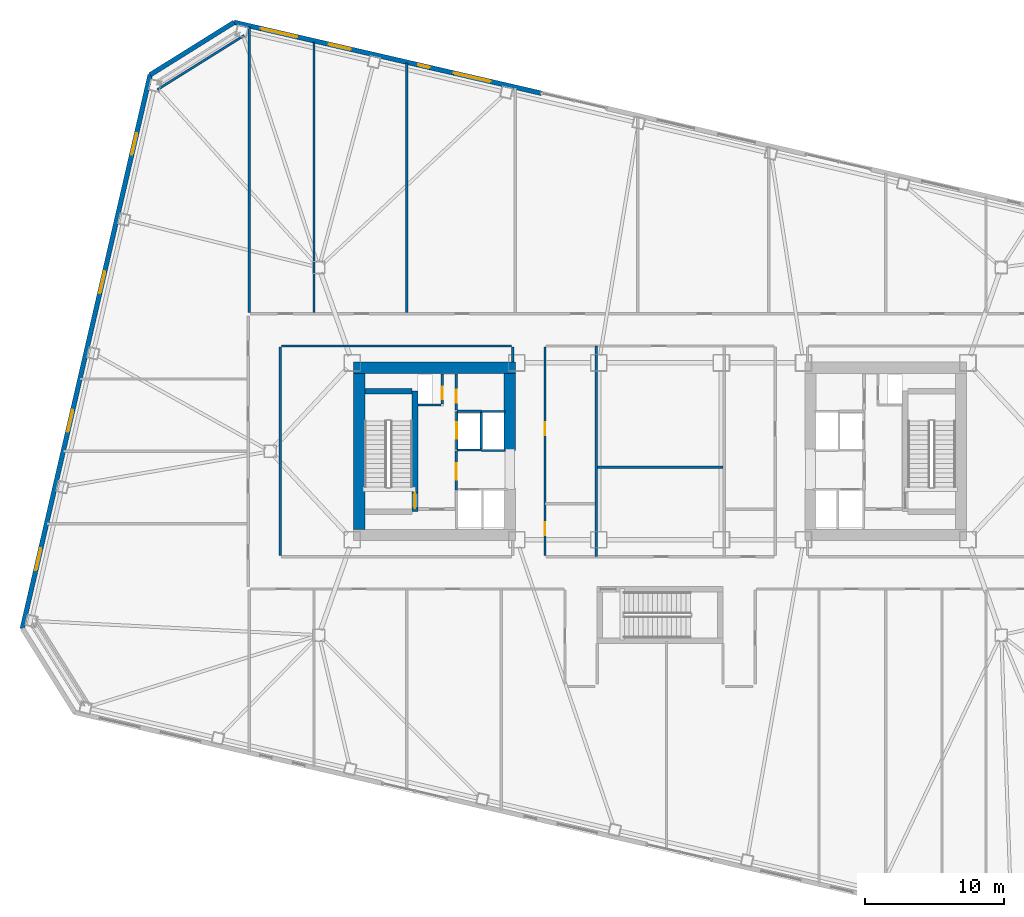
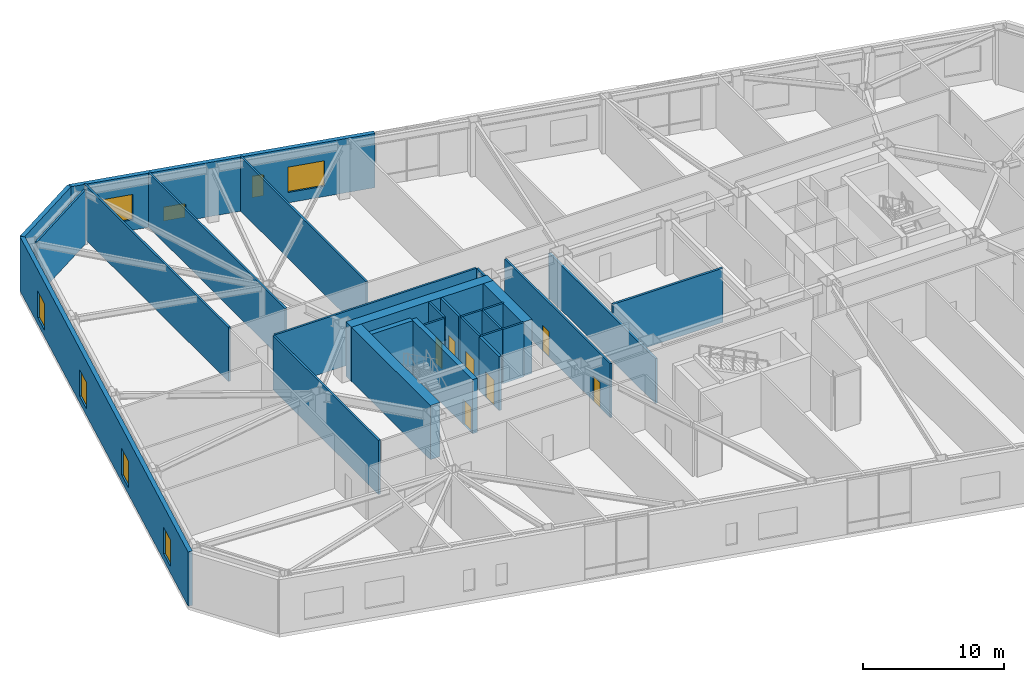
# One storey, part 11 of 20: 28 walls, 8 windows, 7 doors, 15 openings.
"""IFC4 building model written with IfcOpenShell, lengths in metres."""

from ifc_helpers import new_model, si_unit, direction, frame, frame_2d, origin, place, context, subcontext, project, spatial, rectangle, extrude, material, layer, layer_set, type_object, element, fill, save


model = new_model("IFC4")

# Units and contexts
model_context = context("Model", 3, precision=1e-05, world=origin(), true_north=direction((0.0, 1.0)))
body_context = subcontext(model_context, "Body", "Model", "MODEL_VIEW")
ifc_project = project(units=[si_unit("LENGTHUNIT", "METRE"), si_unit("AREAUNIT", "SQUARE_METRE"), si_unit("VOLUMEUNIT", "CUBIC_METRE"), si_unit("PLANEANGLEUNIT", "RADIAN"), si_unit("MASSUNIT", "GRAM", prefix="KILO")], contexts=[model_context])

# Site, building, storey
site_placement = place(None, origin())
site = spatial("IfcSite", under=ifc_project, at=site_placement, CompositionType="ELEMENT")
building_placement = place(site_placement, origin())
building = spatial("IfcBuilding", under=site, at=building_placement, Name="Tavrogorsk Clinical Tower", CompositionType="ELEMENT")
storey_placement = place(building_placement, frame((0.0, 0.0, 13.39990234375)))
storey = spatial("IfcBuildingStorey", under=building, at=storey_placement, Name="L02", CompositionType="ELEMENT", Elevation=13.39990234375)

# Wall, opening, door
ifc_material_1 = material(Name="Concrete B60", Category="concrete")
ifc_layer_1 = layer(ifc_material_1, 0.199951171875)
ifc_layer_set_1 = layer_set([ifc_layer_1], Name="Concrete B60")
wall_type_1 = type_object("IfcWallType", Name="CoreFireWall_200", PredefinedType="SOLIDWALL", material=ifc_layer_set_1)
wall_1_placement = place(storey_placement, frame((-14.639892578125, 2.9599609375, 0.0), z_axis=(0.0, 0.0, 1.0), x_axis=(0.0, 1.0, 0.0)))
wall_1 = element("IfcWall", 1, at=wall_1_placement, inside=storey, type_object=wall_type_1, Name="L02 Core West North Core Room East Wall", PredefinedType="SOLIDWALL", context=body_context, shape_type="SweptSolid", body=[
    extrude(rectangle(XDim=2.60009765625, YDim=0.199951171875, at=frame_2d((1.300048828125, 0.0))), origin(), (0.0, 0.0, 1.0), 4.7001953125),
])
opening_1_placement = place(wall_1_placement, frame((0.52001953125, 0.0, 0.0)))
opening_1 = element("IfcOpeningElement", 2, at=opening_1_placement, cuts=wall_1, Name="Opening ID-02", PredefinedType="OPENING", context=body_context, shape_type="SweptSolid", body=[
    extrude(rectangle(XDim=0.949951171875, YDim=2.199951171875, at=frame_2d((0.47509765625, 1.10009765625))), frame((0.0, 0.10986328125, 0.0), z_axis=(0.0, -1.0, 0.0), x_axis=(1.0, 0.0, 0.0)), (0.0, 0.0, 1.0), 0.219970703125),
])
ifc_material_2 = material(Name="Laminated timber leaf on aluminium frame", Category="wood")
door_type_1 = type_object("IfcDoorType", Name="InteriorDoor_ID02_950", OperationType="NOTDEFINED", PredefinedType="DOOR", material=ifc_material_2)
door_1_placement = place(opening_1_placement, origin())
door_1 = element("IfcDoor", 3, at=door_1_placement, inside=storey, type_object=door_type_1, Name="L02 Core West Core Telemetry Room Door", OperationType="SINGLE_SWING_LEFT", OverallHeight=2.199951171875, OverallWidth=0.949951171875, PredefinedType="DOOR", context=body_context, shape_type="SweptSolid", body=[
    extrude(rectangle(XDim=0.949951171875, YDim=2.199951171875, at=frame_2d((0.47509765625, 1.10009765625))), frame((0.0, 0.02490234375, 0.0), z_axis=(0.0, -1.0, 0.0), x_axis=(1.0, 0.0, 0.0)), (0.0, 0.0, 1.0), 0.050048828125),
])
fill(opening_1, door_1)

wall_2_placement = place(storey_placement, frame((-14.639892578125, -2.780029296875, 0.0), z_axis=(0.0, 0.0, 1.0), x_axis=(0.0, 1.0, 0.0)))
wall_2 = element("IfcWall", 4, at=wall_2_placement, inside=storey, type_object=wall_type_1, Name="L02 Core West Firefighting Lobby Fire Wall", PredefinedType="SOLIDWALL", context=body_context, shape_type="SweptSolid", body=[
    extrude(rectangle(XDim=2.820068359375, YDim=0.199951171875, at=frame_2d((1.41015625, 0.0))), origin(), (0.0, 0.0, 1.0), 4.7001953125),
])
opening_2_placement = place(wall_2_placement, frame((0.72998046875, 0.0, 0.0)))
opening_2 = element("IfcOpeningElement", 5, at=opening_2_placement, cuts=wall_2, Name="Opening FD-01", PredefinedType="OPENING", context=body_context, shape_type="SweptSolid", body=[
    extrude(rectangle(XDim=1.199951171875, YDim=2.199951171875, at=frame_2d((0.60009765625, 1.10009765625))), frame((0.0, 0.10986328125, 0.0), z_axis=(0.0, -1.0, 0.0), x_axis=(1.0, 0.0, 0.0)), (0.0, 0.0, 1.0), 0.219970703125),
])
ifc_material_3 = material(Name="Galvanised steel fire-rated door assembly", Category="steel")
door_type_2 = type_object("IfcDoorType", Name="FireDoor_FD01_1200", OperationType="NOTDEFINED", PredefinedType="DOOR", material=ifc_material_3)
door_2_placement = place(opening_2_placement, origin())
door_2 = element("IfcDoor", 6, at=door_2_placement, inside=storey, type_object=door_type_2, Name="L02 Core West Firefighting Lobby Entry Door", OperationType="SINGLE_SWING_RIGHT", OverallHeight=2.199951171875, OverallWidth=1.199951171875, PredefinedType="DOOR", context=body_context, shape_type="SweptSolid", body=[
    extrude(rectangle(XDim=1.199951171875, YDim=2.199951171875, at=frame_2d((0.60009765625, 1.10009765625))), frame((0.0, 0.02490234375, 0.0), z_axis=(0.0, -1.0, 0.0), x_axis=(1.0, 0.0, 0.0)), (0.0, 0.0, 1.0), 0.050048828125),
])
fill(opening_2, door_2)

# Wall
ifc_material_4 = material(Name="Lightweight concrete blockwork B15", Category="masonry")
ifc_layer_2 = layer(ifc_material_4, 0.159912109375)
ifc_layer_set_2 = layer_set([ifc_layer_2], Name="Lightweight concrete blockwork B15")
wall_type_2 = type_object("IfcWallType", Name="PartitionWall_160", PredefinedType="PARTITIONING", material=ifc_layer_set_2)
wall_3_placement = place(storey_placement, frame((-29.859619140625, 29.8681640625, 0.0), z_axis=(0.0, 0.0, 1.0), x_axis=(-0.848043064089, -0.529927317139, 0.0)))
element("IfcWall", 7, at=wall_3_placement, inside=storey, type_object=wall_type_2, Name="L02 Corner Exoskeleton Brace Furring Wall 3", PredefinedType="PARTITIONING", context=body_context, shape_type="SweptSolid", body=[
    extrude(rectangle(XDim=7.353759765625, YDim=0.159912109375, at=frame_2d((3.6767578125, 0.0))), origin(), (0.0, 0.0, 1.0), 4.7001953125),
])

# Wall, openings, doors
wall_4_placement = place(storey_placement, frame((-8.27001953125, 7.485107421875, 0.0), z_axis=(0.0, 0.0, 1.0), x_axis=(0.0, -1.0, 0.0)))
wall_4 = element("IfcWall", 8, at=wall_4_placement, inside=storey, type_object=wall_type_2, Name="L02 Corridor Partition 18", PredefinedType="PARTITIONING", context=body_context, shape_type="SweptSolid", body=[
    extrude(rectangle(XDim=14.97021484375, YDim=0.159912109375, at=frame_2d((7.485107421875, 0.0))), origin(), (0.0, 0.0, 1.0), 4.7001953125),
])
opening_3_placement = place(wall_4_placement, frame((12.560791015625, 0.0, 0.0)))
opening_3 = element("IfcOpeningElement", 9, at=opening_3_placement, cuts=wall_4, Name="Opening ID-02", PredefinedType="OPENING", context=body_context, shape_type="SweptSolid", body=[
    extrude(rectangle(XDim=0.949951171875, YDim=2.199951171875, at=frame_2d((0.47509765625, 1.10009765625))), frame((0.0, 0.08984375, 0.0), z_axis=(0.0, -1.0, 0.0), x_axis=(1.0, 0.0, 0.0)), (0.0, 0.0, 1.0), 0.179931640625),
])
opening_4_placement = place(wall_4_placement, frame((5.379150390625, 0.0, 0.0)))
opening_4 = element("IfcOpeningElement", 10, at=opening_4_placement, cuts=wall_4, Name="Opening ID-02", PredefinedType="OPENING", context=body_context, shape_type="SweptSolid", body=[
    extrude(rectangle(XDim=0.949951171875, YDim=2.199951171875, at=frame_2d((0.47509765625, 1.10009765625))), frame((0.0, 0.08984375, 0.0), z_axis=(0.0, -1.0, 0.0), x_axis=(1.0, 0.0, 0.0)), (0.0, 0.0, 1.0), 0.179931640625),
])
door_3_placement = place(opening_3_placement, origin())
door_3 = element("IfcDoor", 11, at=door_3_placement, inside=storey, type_object=door_type_1, Name="L02 Accessible Patient Lavatory Door", OperationType="SINGLE_SWING_RIGHT", OverallHeight=2.199951171875, OverallWidth=0.949951171875, PredefinedType="DOOR", context=body_context, shape_type="SweptSolid", body=[
    extrude(rectangle(XDim=0.949951171875, YDim=2.199951171875, at=frame_2d((0.47509765625, 1.10009765625))), frame((0.0, 0.02490234375, 0.0), z_axis=(0.0, -1.0, 0.0), x_axis=(1.0, 0.0, 0.0)), (0.0, 0.0, 1.0), 0.050048828125),
])
fill(opening_3, door_3)
door_4_placement = place(opening_4_placement, origin())
door_4 = element("IfcDoor", 12, at=door_4_placement, inside=storey, type_object=door_type_1, Name="L02 Ward Nourishment Pantry Door", OperationType="SINGLE_SWING_LEFT", OverallHeight=2.199951171875, OverallWidth=0.949951171875, PredefinedType="DOOR", context=body_context, shape_type="SweptSolid", body=[
    extrude(rectangle(XDim=0.949951171875, YDim=2.199951171875, at=frame_2d((0.47509765625, 1.10009765625))), frame((0.0, 0.02490234375, 0.0), z_axis=(0.0, -1.0, 0.0), x_axis=(1.0, 0.0, 0.0)), (0.0, 0.0, 1.0), 0.050048828125),
])
fill(opening_4, door_4)

# Walls
wall_5_placement = place(storey_placement, frame((-10.580078125, 6.419921875, 0.0), z_axis=(0.0, 0.0, 1.0), x_axis=(0.0, 1.0, 0.0)))
element("IfcWall", 13, at=wall_5_placement, inside=storey, type_object=wall_type_2, Name="L02 Corridor Partition 22", PredefinedType="PARTITIONING", context=body_context, shape_type="SweptSolid", body=[
    extrude(rectangle(XDim=1.065185546875, YDim=0.159912109375, at=frame_2d((0.53271484375, 0.0))), origin(), (0.0, 0.0, 1.0), 4.7001953125),
])
wall_6_placement = place(storey_placement, frame((-10.6650390625, 7.570068359375, 0.0), z_axis=(0.0, 0.0, 1.0), x_axis=(-1.0, 0.0, 0.0)))
element("IfcWall", 14, at=wall_6_placement, inside=storey, type_object=wall_type_2, Name="L02 Corridor Partition 23", PredefinedType="PARTITIONING", context=body_context, shape_type="SweptSolid", body=[
    extrude(rectangle(XDim=16.52001953125, YDim=0.159912109375, at=frame_2d((8.260009765625, 0.0))), origin(), (0.0, 0.0, 1.0), 4.7001953125),
])
wall_7_placement = place(storey_placement, frame((-27.27001953125, 7.485107421875, 0.0), z_axis=(0.0, 0.0, 1.0), x_axis=(0.0, -1.0, 0.0)))
element("IfcWall", 15, at=wall_7_placement, inside=storey, type_object=wall_type_2, Name="L02 Corridor Partition 24", PredefinedType="PARTITIONING", context=body_context, shape_type="SweptSolid", body=[
    extrude(rectangle(XDim=14.97021484375, YDim=0.159912109375, at=frame_2d((7.485107421875, 0.0))), origin(), (0.0, 0.0, 1.0), 4.7001953125),
])
wall_8_placement = place(storey_placement, frame((-29.5, 9.965087890625, 0.0), z_axis=(0.0, 0.0, 1.0), x_axis=(0.0, 1.0, 0.0)))
element("IfcWall", 16, at=wall_8_placement, inside=storey, type_object=wall_type_2, Name="L02 NW Wing Closure Partition", PredefinedType="PARTITIONING", context=body_context, shape_type="SweptSolid", body=[
    extrude(rectangle(XDim=20.5185546875, YDim=0.159912109375, at=frame_2d((10.25927734375, 0.0))), origin(), (0.0, 0.0, 1.0), 4.7001953125),
])
wall_9_placement = place(storey_placement, frame((-24.85009765625, 9.965087890625, 0.0), z_axis=(0.0, 0.0, 1.0), x_axis=(0.0, 1.0, 0.0)))
element("IfcWall", 17, at=wall_9_placement, inside=storey, type_object=wall_type_2, Name="L02 North Room Partition 1", PredefinedType="PARTITIONING", context=body_context, shape_type="SweptSolid", body=[
    extrude(rectangle(XDim=19.445068359375, YDim=0.159912109375, at=frame_2d((9.72265625, 0.0))), origin(), (0.0, 0.0, 1.0), 4.7001953125),
])
wall_10_placement = place(storey_placement, frame((-18.199951171875, 9.965087890625, 0.0), z_axis=(0.0, 0.0, 1.0), x_axis=(0.0, 1.0, 0.0)))
element("IfcWall", 18, at=wall_10_placement, inside=storey, type_object=wall_type_2, Name="L02 North Room Partition 2", PredefinedType="PARTITIONING", context=body_context, shape_type="SweptSolid", body=[
    extrude(rectangle(XDim=17.90966796875, YDim=0.159912109375, at=frame_2d((8.954833984375, 0.0))), origin(), (0.0, 0.0, 1.0), 4.7001953125),
])
ifc_material_5 = material(Name="Lightweight concrete blockwork B20", Category="masonry")
ifc_layer_3 = layer(ifc_material_5, 0.179931640625)
ifc_layer_set_3 = layer_set([ifc_layer_3], Name="Lightweight concrete blockwork B20")
wall_type_3 = type_object("IfcWallType", Name="PartitionWall_180", PredefinedType="PARTITIONING", material=ifc_layer_set_3)
wall_11_placement = place(storey_placement, frame((-4.60009765625, -7.56494140625, 0.0), z_axis=(0.0, 0.0, 1.0), x_axis=(0.0, 1.0, 0.0)))
element("IfcWall", 19, at=wall_11_placement, inside=storey, type_object=wall_type_3, Name="L02 Central Spine Partition 1", PredefinedType="PARTITIONING", context=body_context, shape_type="SweptSolid", body=[
    extrude(rectangle(XDim=15.1298828125, YDim=0.179931640625, at=frame_2d((7.56494140625, 0.0))), origin(), (0.0, 0.0, 1.0), 3.89501953125),
])
wall_12_placement = place(storey_placement, frame((-4.5048828125, -1.14990234375, 0.0), z_axis=(0.0, 0.0, 1.0), x_axis=(1.0, 0.0, 0.0)))
element("IfcWall", 20, at=wall_12_placement, inside=storey, type_object=wall_type_3, Name="L02 Central Spine Partition 3", PredefinedType="PARTITIONING", context=body_context, shape_type="SweptSolid", body=[
    extrude(rectangle(XDim=9.009765625, YDim=0.179931640625, at=frame_2d((4.5048828125, 0.0))), origin(), (0.0, 0.0, 1.0), 4.7001953125),
])

# Wall, openings, windows
ifc_material_6 = material(Name="Precast concrete B45 with limestone cladding", Category="masonry")
ifc_layer_4 = layer(ifc_material_6, 0.340087890625)
ifc_layer_set_4 = layer_set([ifc_layer_4], Name="Precast concrete B45 with limestone cladding")
wall_type_4 = type_object("IfcWallType", Name="PrecastLimestoneWall_340", PredefinedType="STANDARD", material=ifc_layer_set_4)
wall_13_placement = place(storey_placement, frame((-8.5166015625, 25.711181640625, 0.0), z_axis=(0.0, 0.0, 1.0), x_axis=(-0.974372845456, 0.224939009598, 0.0)))
wall_13 = element("IfcWall", 21, at=wall_13_placement, inside=storey, type_object=wall_type_4, Name="L02 N Limestone Facade Wall 3", PredefinedType="STANDARD", context=body_context, shape_type="SweptSolid", body=[
    extrude(rectangle(XDim=22.651611328125, YDim=0.340087890625, at=frame_2d((11.32568359375, 0.0))), origin(), (0.0, 0.0, 1.0), 4.7001953125),
])
opening_5_placement = place(wall_13_placement, frame((17.9892578125, 0.0, 0.89990234375)))
opening_5 = element("IfcOpeningElement", 22, at=opening_5_placement, cuts=wall_13, Name="Opening WN-02", PredefinedType="OPENING", context=body_context, shape_type="SweptSolid", body=[
    extrude(rectangle(XDim=2.699951171875, YDim=2.199951171875, at=frame_2d((1.35009765625, 1.10009765625))), frame((0.0, 0.179931640625, 0.0), z_axis=(0.0, -1.0, 0.0), x_axis=(1.0, 0.0, 0.0)), (0.0, 0.0, 1.0), 0.360107421875),
])
opening_6_placement = place(wall_13_placement, frame((14.054931640625, 0.0, 0.219970703125)))
opening_6 = element("IfcOpeningElement", 23, at=opening_6_placement, cuts=wall_13, Name="Opening WN-09", PredefinedType="OPENING", context=body_context, shape_type="SweptSolid", body=[
    extrude(rectangle(XDim=1.60009765625, YDim=1.199951171875, at=frame_2d((0.800048828125, 0.60009765625))), frame((0.0, 0.179931640625, 0.0), z_axis=(0.0, -1.0, 0.0), x_axis=(1.0, 0.0, 0.0)), (0.0, 0.0, 1.0), 0.360107421875),
])
opening_7_placement = place(wall_13_placement, frame((8.24072265625, 0.0, 0.89990234375)))
opening_7 = element("IfcOpeningElement", 24, at=opening_7_placement, cuts=wall_13, Name="Opening WN-06", PredefinedType="OPENING", context=body_context, shape_type="SweptSolid", body=[
    extrude(rectangle(XDim=0.85009765625, YDim=1.85009765625, at=frame_2d((0.425048828125, 0.925048828125))), frame((0.0, 0.179931640625, 0.0), z_axis=(0.0, -1.0, 0.0), x_axis=(1.0, 0.0, 0.0)), (0.0, 0.0, 1.0), 0.360107421875),
])
opening_8_placement = place(wall_13_placement, frame((3.75634765625, 0.0, 0.89990234375)))
opening_8 = element("IfcOpeningElement", 25, at=opening_8_placement, cuts=wall_13, Name="Opening WN-02", PredefinedType="OPENING", context=body_context, shape_type="SweptSolid", body=[
    extrude(rectangle(XDim=2.699951171875, YDim=2.199951171875, at=frame_2d((1.35009765625, 1.10009765625))), frame((0.0, 0.179931640625, 0.0), z_axis=(0.0, -1.0, 0.0), x_axis=(1.0, 0.0, 0.0)), (0.0, 0.0, 1.0), 0.360107421875),
])
ifc_material_7 = material(Name="Thermally broken aluminium frame and triple IGU", Category="aluminium")
window_type_1 = type_object("IfcWindowType", Name="LowHeadTransWin_1600x1200", PartitioningType="DOUBLE_PANEL_VERTICAL", PredefinedType="WINDOW", material=ifc_material_7)
window_1_placement = place(opening_6_placement, origin())
window_1 = element("IfcWindow", 26, at=window_1_placement, inside=storey, type_object=window_type_1, Name="L02 N Chicago Window 02", OverallHeight=1.199951171875, OverallWidth=1.60009765625, PartitioningType="SINGLE_PANEL", PredefinedType="WINDOW", context=body_context, shape_type="SweptSolid", body=[
    extrude(rectangle(XDim=1.60009765625, YDim=1.199951171875, at=frame_2d((0.800048828125, 0.60009765625))), frame((0.0, 0.030029296875, 0.0), z_axis=(0.0, -1.0, 0.0), x_axis=(1.0, 0.0, 0.0)), (0.0, 0.0, 1.0), 0.06005859375),
])
fill(opening_6, window_1)
ifc_material_8 = material(Name="Thermally broken aluminium frame and triple IGU", Category="aluminium")
window_type_2 = type_object("IfcWindowType", Name="MullionSubWin_850x1850", PartitioningType="SINGLE_PANEL", PredefinedType="WINDOW", material=ifc_material_8)
window_2_placement = place(opening_7_placement, origin())
window_2 = element("IfcWindow", 27, at=window_2_placement, inside=storey, type_object=window_type_2, Name="L02 N Mullion Split Window 03A", OverallHeight=1.85009765625, OverallWidth=0.85009765625, PartitioningType="SINGLE_PANEL", PredefinedType="WINDOW", context=body_context, shape_type="SweptSolid", body=[
    extrude(rectangle(XDim=0.85009765625, YDim=1.85009765625, at=frame_2d((0.425048828125, 0.925048828125))), frame((0.0, 0.030029296875, 0.0), z_axis=(0.0, -1.0, 0.0), x_axis=(1.0, 0.0, 0.0)), (0.0, 0.0, 1.0), 0.06005859375),
])
fill(opening_7, window_2)
ifc_material_9 = material(Name="Thermally broken aluminium frame and triple IGU", Category="aluminium")
window_type_3 = type_object("IfcWindowType", Name="WardChicagoWin_2700x2200", PartitioningType="TRIPLE_PANEL_HORIZONTAL", PredefinedType="WINDOW", material=ifc_material_9)
window_3_placement = place(opening_5_placement, origin())
window_3 = element("IfcWindow", 28, at=window_3_placement, inside=storey, type_object=window_type_3, Name="L02 N Chicago Window 01", OverallHeight=2.199951171875, OverallWidth=2.699951171875, PartitioningType="SINGLE_PANEL", PredefinedType="WINDOW", context=body_context, shape_type="SweptSolid", body=[
    extrude(rectangle(XDim=2.699951171875, YDim=2.199951171875, at=frame_2d((1.35009765625, 1.10009765625))), frame((0.0, 0.030029296875, 0.0), z_axis=(0.0, -1.0, 0.0), x_axis=(1.0, 0.0, 0.0)), (0.0, 0.0, 1.0), 0.06005859375),
])
fill(opening_5, window_3)
window_4_placement = place(opening_8_placement, origin())
window_4 = element("IfcWindow", 29, at=window_4_placement, inside=storey, type_object=window_type_3, Name="L02 N Chicago Window 04", OverallHeight=2.199951171875, OverallWidth=2.699951171875, PartitioningType="SINGLE_PANEL", PredefinedType="WINDOW", context=body_context, shape_type="SweptSolid", body=[
    extrude(rectangle(XDim=2.699951171875, YDim=2.199951171875, at=frame_2d((1.35009765625, 1.10009765625))), frame((0.0, 0.030029296875, 0.0), z_axis=(0.0, -1.0, 0.0), x_axis=(1.0, 0.0, 0.0)), (0.0, 0.0, 1.0), 0.06005859375),
])
fill(opening_8, window_4)

wall_14_placement = place(storey_placement, frame((-36.6201171875, 27.036865234375, 0.0), z_axis=(0.0, 0.0, 1.0), x_axis=(-0.224951280646, -0.974370012539, 0.0)))
wall_14 = element("IfcWall", 30, at=wall_14_placement, inside=storey, type_object=wall_type_4, Name="L02 W Pleated Limestone Wing Wall", PredefinedType="STANDARD", context=body_context, shape_type="SweptSolid", body=[
    extrude(rectangle(XDim=40.7998046875, YDim=0.340087890625, at=frame_2d((20.39990234375, 0.0))), origin(), (0.0, 0.0, 1.0), 4.7001953125),
])
opening_9_placement = place(wall_14_placement, frame((4.300048828125, 0.0, 0.580078125)))
opening_9 = element("IfcOpeningElement", 31, at=opening_9_placement, cuts=wall_14, Name="Opening WN-07", PredefinedType="OPENING", context=body_context, shape_type="SweptSolid", body=[
    extrude(rectangle(XDim=1.60009765625, YDim=2.300048828125, at=frame_2d((0.800048828125, 1.14990234375))), frame((0.0, 0.179931640625, 0.0), z_axis=(0.0, -1.0, 0.0), x_axis=(1.0, 0.0, 0.0)), (0.0, 0.0, 1.0), 0.360107421875),
])
opening_10_placement = place(wall_14_placement, frame((14.5, 0.0, 0.580078125)))
opening_10 = element("IfcOpeningElement", 32, at=opening_10_placement, cuts=wall_14, Name="Opening WN-07", PredefinedType="OPENING", context=body_context, shape_type="SweptSolid", body=[
    extrude(rectangle(XDim=1.60009765625, YDim=2.300048828125, at=frame_2d((0.800048828125, 1.14990234375))), frame((0.0, 0.179931640625, 0.0), z_axis=(0.0, -1.0, 0.0), x_axis=(1.0, 0.0, 0.0)), (0.0, 0.0, 1.0), 0.360107421875),
])
opening_11_placement = place(wall_14_placement, frame((24.699951171875, 0.0, 0.580078125)))
opening_11 = element("IfcOpeningElement", 33, at=opening_11_placement, cuts=wall_14, Name="Opening WN-07", PredefinedType="OPENING", context=body_context, shape_type="SweptSolid", body=[
    extrude(rectangle(XDim=1.60009765625, YDim=2.300048828125, at=frame_2d((0.800048828125, 1.14990234375))), frame((0.0, 0.179931640625, 0.0), z_axis=(0.0, -1.0, 0.0), x_axis=(1.0, 0.0, 0.0)), (0.0, 0.0, 1.0), 0.360107421875),
])
opening_12_placement = place(wall_14_placement, frame((34.89990234375, 0.0, 0.580078125)))
opening_12 = element("IfcOpeningElement", 34, at=opening_12_placement, cuts=wall_14, Name="Opening WN-07", PredefinedType="OPENING", context=body_context, shape_type="SweptSolid", body=[
    extrude(rectangle(XDim=1.60009765625, YDim=2.300048828125, at=frame_2d((0.800048828125, 1.14990234375))), frame((0.0, 0.179931640625, 0.0), z_axis=(0.0, -1.0, 0.0), x_axis=(1.0, 0.0, 0.0)), (0.0, 0.0, 1.0), 0.360107421875),
])
ifc_material_10 = material(Name="Thermally broken aluminium frame and triple IGU", Category="aluminium")
window_type_4 = type_object("IfcWindowType", Name="PleatSlotWin_1600x2300", PartitioningType="SINGLE_PANEL", PredefinedType="WINDOW", material=ifc_material_10)
window_5_placement = place(opening_9_placement, origin())
window_5 = element("IfcWindow", 35, at=window_5_placement, inside=storey, type_object=window_type_4, Name="L02 W Pleat Slot Window 1", OverallHeight=2.300048828125, OverallWidth=1.60009765625, PartitioningType="SINGLE_PANEL", PredefinedType="WINDOW", context=body_context, shape_type="SweptSolid", body=[
    extrude(rectangle(XDim=1.60009765625, YDim=2.300048828125, at=frame_2d((0.800048828125, 1.14990234375))), frame((0.0, 0.030029296875, 0.0), z_axis=(0.0, -1.0, 0.0), x_axis=(1.0, 0.0, 0.0)), (0.0, 0.0, 1.0), 0.06005859375),
])
fill(opening_9, window_5)
window_6_placement = place(opening_10_placement, origin())
window_6 = element("IfcWindow", 36, at=window_6_placement, inside=storey, type_object=window_type_4, Name="L02 W Pleat Slot Window 2", OverallHeight=2.300048828125, OverallWidth=1.60009765625, PartitioningType="SINGLE_PANEL", PredefinedType="WINDOW", context=body_context, shape_type="SweptSolid", body=[
    extrude(rectangle(XDim=1.60009765625, YDim=2.300048828125, at=frame_2d((0.800048828125, 1.14990234375))), frame((0.0, 0.030029296875, 0.0), z_axis=(0.0, -1.0, 0.0), x_axis=(1.0, 0.0, 0.0)), (0.0, 0.0, 1.0), 0.06005859375),
])
fill(opening_10, window_6)
window_7_placement = place(opening_11_placement, origin())
window_7 = element("IfcWindow", 37, at=window_7_placement, inside=storey, type_object=window_type_4, Name="L02 W Pleat Slot Window 3", OverallHeight=2.300048828125, OverallWidth=1.60009765625, PartitioningType="SINGLE_PANEL", PredefinedType="WINDOW", context=body_context, shape_type="SweptSolid", body=[
    extrude(rectangle(XDim=1.60009765625, YDim=2.300048828125, at=frame_2d((0.800048828125, 1.14990234375))), frame((0.0, 0.030029296875, 0.0), z_axis=(0.0, -1.0, 0.0), x_axis=(1.0, 0.0, 0.0)), (0.0, 0.0, 1.0), 0.06005859375),
])
fill(opening_11, window_7)
window_8_placement = place(opening_12_placement, origin())
window_8 = element("IfcWindow", 38, at=window_8_placement, inside=storey, type_object=window_type_4, Name="L02 W Pleat Slot Window 4", OverallHeight=2.300048828125, OverallWidth=1.60009765625, PartitioningType="SINGLE_PANEL", PredefinedType="WINDOW", context=body_context, shape_type="SweptSolid", body=[
    extrude(rectangle(XDim=1.60009765625, YDim=2.300048828125, at=frame_2d((0.800048828125, 1.14990234375))), frame((0.0, 0.030029296875, 0.0), z_axis=(0.0, -1.0, 0.0), x_axis=(1.0, 0.0, 0.0)), (0.0, 0.0, 1.0), 0.06005859375),
])
fill(opening_12, window_8)

# Wall
wall_15_placement = place(storey_placement, frame((-30.587646484375, 30.806640625, 0.0), z_axis=(0.0, 0.0, 1.0), x_axis=(-0.848031080615, -0.529946493819, 0.0)))
element("IfcWall", 39, at=wall_15_placement, inside=storey, type_object=wall_type_4, Name="L02 Chamfered Corner Wall 3", PredefinedType="STANDARD", context=body_context, shape_type="SweptSolid", body=[
    extrude(rectangle(XDim=7.113525390625, YDim=0.340087890625, at=frame_2d((3.556640625, 0.0))), origin(), (0.0, 0.0, 1.0), 4.7001953125),
])

# Wall, opening, door
ifc_material_11 = material(Name="Lightweight concrete blockwork B25", Category="masonry")
ifc_layer_5 = layer(ifc_material_11, 0.159912109375)
ifc_layer_set_5 = layer_set([ifc_layer_5], Name="Lightweight concrete blockwork B25")
wall_type_5 = type_object("IfcWallType", Name="ShaftWall_160", PredefinedType="PARTITIONING", material=ifc_layer_set_5)
wall_16_placement = place(storey_placement, frame((-14.60009765625, 0.1201171875, 0.0), z_axis=(0.0, 0.0, 1.0), x_axis=(0.0, 1.0, 0.0)))
wall_16 = element("IfcWall", 40, at=wall_16_placement, inside=storey, type_object=wall_type_5, Name="L02 FFL-W Firefighting Lift Front Wall", PredefinedType="PARTITIONING", context=body_context, shape_type="SweptSolid", body=[
    extrude(rectangle(XDim=2.739990234375, YDim=0.159912109375, at=frame_2d((1.3701171875, 0.0))), origin(), (0.0, 0.0, 1.0), 4.7001953125),
])
opening_13_placement = place(wall_16_placement, frame((0.77001953125, 0.0, 0.0)))
opening_13 = element("IfcOpeningElement", 41, at=opening_13_placement, cuts=wall_16, Name="Opening LD", PredefinedType="OPENING", context=body_context, shape_type="SweptSolid", body=[
    extrude(rectangle(XDim=1.199951171875, YDim=2.199951171875, at=frame_2d((0.60009765625, 1.10009765625))), frame((0.0, 0.08984375, 0.0), z_axis=(0.0, -1.0, 0.0), x_axis=(1.0, 0.0, 0.0)), (0.0, 0.0, 1.0), 0.179931640625),
])
ifc_material_12 = material(Name="Brushed stainless steel AISI 304 sliding doors", Category="steel")
door_type_3 = type_object("IfcDoorType", Name="LiftLandingDoor_LD_1200", OperationType="SLIDING_TO_LEFT", PredefinedType="DOOR", material=ifc_material_12)
door_5_placement = place(opening_13_placement, origin())
door_5 = element("IfcDoor", 42, at=door_5_placement, inside=storey, type_object=door_type_3, Name="L02 FFL-W Sliding Lift Landing Door", OperationType="SLIDING_TO_LEFT", OverallHeight=2.199951171875, OverallWidth=1.199951171875, PredefinedType="DOOR", context=body_context, shape_type="SweptSolid", body=[
    extrude(rectangle(XDim=1.199951171875, YDim=2.199951171875, at=frame_2d((0.60009765625, 1.10009765625))), frame((0.0, 0.02490234375, 0.0), z_axis=(0.0, -1.0, 0.0), x_axis=(1.0, 0.0, 0.0)), (0.0, 0.0, 1.0), 0.050048828125),
])
fill(opening_13, door_5)

# Walls
for number, where, z_axis, x_axis, name in (
    (43, (-14.60009765625, 0.10009765625, 0.0), (0.0, 0.0, 1.0), (1.0, 0.0, 0.0), "L02 FFL-W Shaft South Wall"),
    (44, (-14.60009765625, 2.8798828125, 0.0), (0.0, 0.0, 1.0), (1.0, 0.0, 0.0), "L02 FFL-W Shaft North Wall"),
):
    element("IfcWall", number, at=place(storey_placement, frame(where, z_axis=z_axis, x_axis=x_axis)), inside=storey, type_object=wall_type_5, Name=name, PredefinedType="PARTITIONING", context=body_context, shape_type="SweptSolid", body=[
        extrude(rectangle(XDim=1.760009765625, YDim=0.159912109375, at=frame_2d((0.8798828125, 0.0))), origin(), (0.0, 0.0, 1.0), 4.7001953125),
    ])
wall_17_placement = place(storey_placement, frame((-12.840087890625, 0.179931640625, 0.0), z_axis=(0.0, 0.0, 1.0), x_axis=(0.0, 1.0, 0.0)))
element("IfcWall", 45, at=wall_17_placement, inside=storey, type_object=wall_type_5, Name="L02 FFL-W Shaft Back Wall", PredefinedType="PARTITIONING", context=body_context, shape_type="SweptSolid", body=[
    extrude(rectangle(XDim=2.6201171875, YDim=0.159912109375, at=frame_2d((1.31005859375, 0.0))), origin(), (0.0, 0.0, 1.0), 4.7001953125),
])
for number, where, z_axis, x_axis, name in (
    (46, (-12.820068359375, 0.06005859375, 0.0), (0.0, 0.0, 1.0), (1.0, 0.0, 0.0), "L02 LP-H1 High-Zone Lift Portal Wall"),
    (47, (-12.820068359375, 2.860107421875, 0.0), (0.0, 0.0, 1.0), (1.0, 0.0, 0.0), "L02 LP-H1 High-Zone Lift Rear Wall"),
):
    element("IfcWall", number, at=place(storey_placement, frame(where, z_axis=z_axis, x_axis=x_axis)), inside=storey, type_object=wall_type_5, Name=name, PredefinedType="PARTITIONING", context=body_context, shape_type="SweptSolid", body=[
        extrude(rectangle(XDim=1.719970703125, YDim=0.159912109375, at=frame_2d((0.85986328125, 0.0))), origin(), (0.0, 0.0, 1.0), 4.7001953125),
    ])

# Wall, opening, door
wall_18_placement = place(storey_placement, frame((-15.639892578125, 3.405029296875, 0.0), z_axis=(0.0, 0.0, 1.0), x_axis=(0.0, 1.0, 0.0)))
wall_18 = element("IfcWall", 48, at=wall_18_placement, inside=storey, type_object=wall_type_5, Name="L02 Core West Riser West Wall", PredefinedType="PARTITIONING", context=body_context, shape_type="SweptSolid", body=[
    extrude(rectangle(XDim=2.155029296875, YDim=0.159912109375, at=frame_2d((1.07763671875, 0.0))), origin(), (0.0, 0.0, 1.0), 4.7001953125),
])
opening_14_placement = place(wall_18_placement, frame((0.35009765625, 0.0, 0.0)))
opening_14 = element("IfcOpeningElement", 49, at=opening_14_placement, cuts=wall_18, Name="Opening FD-02", PredefinedType="OPENING", context=body_context, shape_type="SweptSolid", body=[
    extrude(rectangle(XDim=0.89990234375, YDim=2.199951171875, at=frame_2d((0.449951171875, 1.10009765625))), frame((0.0, 0.08984375, 0.0), z_axis=(0.0, -1.0, 0.0), x_axis=(1.0, 0.0, 0.0)), (0.0, 0.0, 1.0), 0.179931640625),
])
ifc_material_13 = material(Name="Galvanised steel fire-rated door assembly", Category="steel")
door_type_4 = type_object("IfcDoorType", Name="FireDoor_FD02_900", OperationType="NOTDEFINED", PredefinedType="DOOR", material=ifc_material_13)
door_6_placement = place(opening_14_placement, origin())
door_6 = element("IfcDoor", 50, at=door_6_placement, inside=storey, type_object=door_type_4, Name="L02 Core West Electrical Riser Access Door", OperationType="SINGLE_SWING_LEFT", OverallHeight=2.199951171875, OverallWidth=0.89990234375, PredefinedType="DOOR", context=body_context, shape_type="SweptSolid", body=[
    extrude(rectangle(XDim=0.89990234375, YDim=2.199951171875, at=frame_2d((0.449951171875, 1.10009765625))), frame((0.0, 0.02490234375, 0.0), z_axis=(0.0, -1.0, 0.0), x_axis=(1.0, 0.0, 0.0)), (0.0, 0.0, 1.0), 0.050048828125),
])
fill(opening_14, door_6)

# Wall
wall_19_placement = place(storey_placement, frame((-17.3798828125, 3.320068359375, 0.0), z_axis=(0.0, 0.0, 1.0), x_axis=(1.0, 0.0, 0.0)))
element("IfcWall", 51, at=wall_19_placement, inside=storey, type_object=wall_type_5, Name="L02 Core West Riser South Wall", PredefinedType="PARTITIONING", context=body_context, shape_type="SweptSolid", body=[
    extrude(rectangle(XDim=1.65478515625, YDim=0.159912109375, at=frame_2d((0.827392578125, 0.0))), origin(), (0.0, 0.0, 1.0), 4.7001953125),
])

# Wall, opening, door
ifc_material_14 = material(Name="Concrete B80", Category="concrete")
ifc_layer_6 = layer(ifc_material_14, 0.39990234375)
ifc_layer_set_6 = layer_set([ifc_layer_6], Name="Concrete B80")
wall_type_6 = type_object("IfcWallType", Name="ShearWall_400", PredefinedType="SHEAR", material=ifc_layer_set_6)
wall_20_placement = place(storey_placement, frame((-17.60009765625, -4.324951171875, 0.0), z_axis=(0.0, 0.0, 1.0), x_axis=(0.0, 1.0, 0.0)))
wall_20 = element("IfcWall", 52, at=wall_20_placement, inside=storey, type_object=wall_type_6, Name="L02 Core West Stair Shaft Inner Shear Wall", PredefinedType="SHEAR", context=body_context, shape_type="SweptSolid", body=[
    extrude(rectangle(XDim=8.64990234375, YDim=0.39990234375, at=frame_2d((4.324951171875, 0.0))), origin(), (0.0, 0.0, 1.0), 4.7001953125),
])
opening_15_placement = place(wall_20_placement, frame((0.25, 0.0, 0.0)))
opening_15 = element("IfcOpeningElement", 53, at=opening_15_placement, cuts=wall_20, Name="Opening SD-01", PredefinedType="OPENING", context=body_context, shape_type="SweptSolid", body=[
    extrude(rectangle(XDim=1.10009765625, YDim=2.199951171875, at=frame_2d((0.550048828125, 1.10009765625))), frame((0.0, 0.2099609375, 0.0), z_axis=(0.0, -1.0, 0.0), x_axis=(1.0, 0.0, 0.0)), (0.0, 0.0, 1.0), 0.419921875),
])
ifc_material_15 = material(Name="Galvanised steel smoke-tight fire door assembly", Category="steel")
door_type_5 = type_object("IfcDoorType", Name="StairFireDoor_SD01_1100", OperationType="NOTDEFINED", PredefinedType="DOOR", material=ifc_material_15)
door_7_placement = place(opening_15_placement, origin())
door_7 = element("IfcDoor", 54, at=door_7_placement, inside=storey, type_object=door_type_5, Name="L02 ST-W Exit Stair Door", OperationType="SINGLE_SWING_LEFT", OverallHeight=2.199951171875, OverallWidth=1.10009765625, PredefinedType="DOOR", context=body_context, shape_type="SweptSolid", body=[
    extrude(rectangle(XDim=1.10009765625, YDim=2.199951171875, at=frame_2d((0.550048828125, 1.10009765625))), frame((0.0, 0.02490234375, 0.0), z_axis=(0.0, -1.0, 0.0), x_axis=(1.0, 0.0, 0.0)), (0.0, 0.0, 1.0), 0.050048828125),
])
fill(opening_15, door_7)

# Walls
wall_21_placement = place(storey_placement, frame((-21.199951171875, 4.324951171875, 0.0), z_axis=(0.0, 0.0, 1.0), x_axis=(1.0, 0.0, 0.0)))
element("IfcWall", 55, at=wall_21_placement, inside=storey, type_object=wall_type_6, Name="L02 Core West Stair Shaft North Shear Wall", PredefinedType="SHEAR", context=body_context, shape_type="SweptSolid", body=[
    extrude(rectangle(XDim=3.39990234375, YDim=0.39990234375, at=frame_2d((1.699951171875, 0.0))), origin(), (0.0, 0.0, 1.0), 4.7001953125),
])
ifc_material_16 = material(Name="Concrete B80", Category="concrete")
ifc_layer_7 = layer(ifc_material_16, 0.800048828125)
ifc_layer_set_7 = layer_set([ifc_layer_7], Name="Concrete B80")
wall_type_7 = type_object("IfcWallType", Name="ShearWall_800", PredefinedType="SHEAR", material=ifc_layer_set_7)
wall_22_placement = place(storey_placement, frame((-22.0, 6.0, 0.0), z_axis=(0.0, 0.0, 1.0), x_axis=(1.0, 0.0, 0.0)))
element("IfcWall", 56, at=wall_22_placement, inside=storey, type_object=wall_type_7, Name="L02 Core West North Shear Wall", PredefinedType="SHEAR", context=body_context, shape_type="SweptSolid", body=[
    extrude(rectangle(XDim=11.60009765625, YDim=0.800048828125, at=frame_2d((5.800048828125, 0.0))), origin(), (0.0, 0.0, 1.0), 4.7001953125),
])
wall_23_placement = place(storey_placement, frame((-21.60009765625, -5.60009765625, 0.0), z_axis=(0.0, 0.0, 1.0), x_axis=(0.0, 1.0, 0.0)))
element("IfcWall", 57, at=wall_23_placement, inside=storey, type_object=wall_type_7, Name="L02 Core West End Shear Wall", PredefinedType="SHEAR", context=body_context, shape_type="SweptSolid", body=[
    extrude(rectangle(XDim=11.2001953125, YDim=0.800048828125, at=frame_2d((5.60009765625, 0.0))), origin(), (0.0, 0.0, 1.0), 4.7001953125),
])
wall_24_placement = place(storey_placement, frame((-10.800048828125, 0.050048828125, 0.0), z_axis=(0.0, 0.0, 1.0), x_axis=(0.0, 1.0, 0.0)))
element("IfcWall", 58, at=wall_24_placement, inside=storey, type_object=wall_type_7, Name="L02 Core West Inner North Pier", PredefinedType="SHEAR", context=body_context, shape_type="SweptSolid", body=[
    extrude(rectangle(XDim=5.550048828125, YDim=0.800048828125, at=frame_2d((2.77490234375, 0.0))), origin(), (0.0, 0.0, 1.0), 4.7001953125),
])

save(model, "model.ifc")
